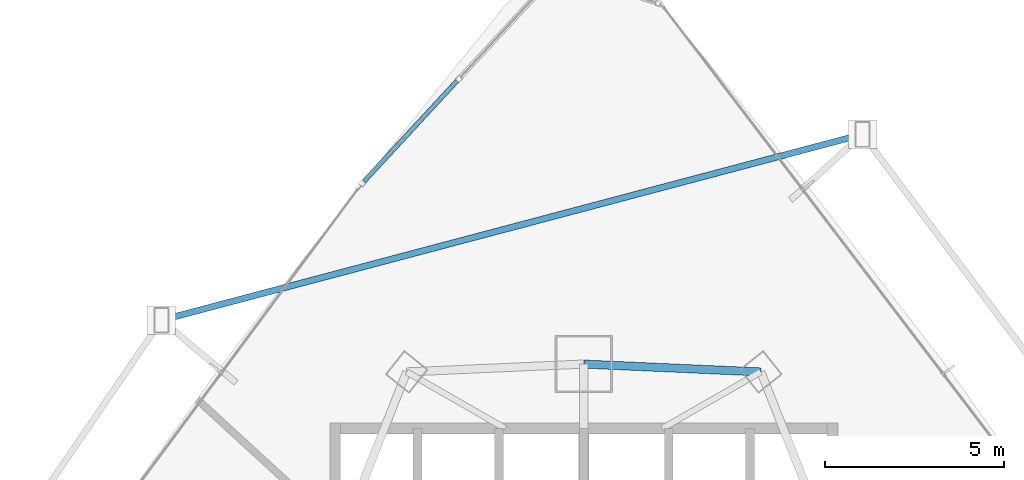
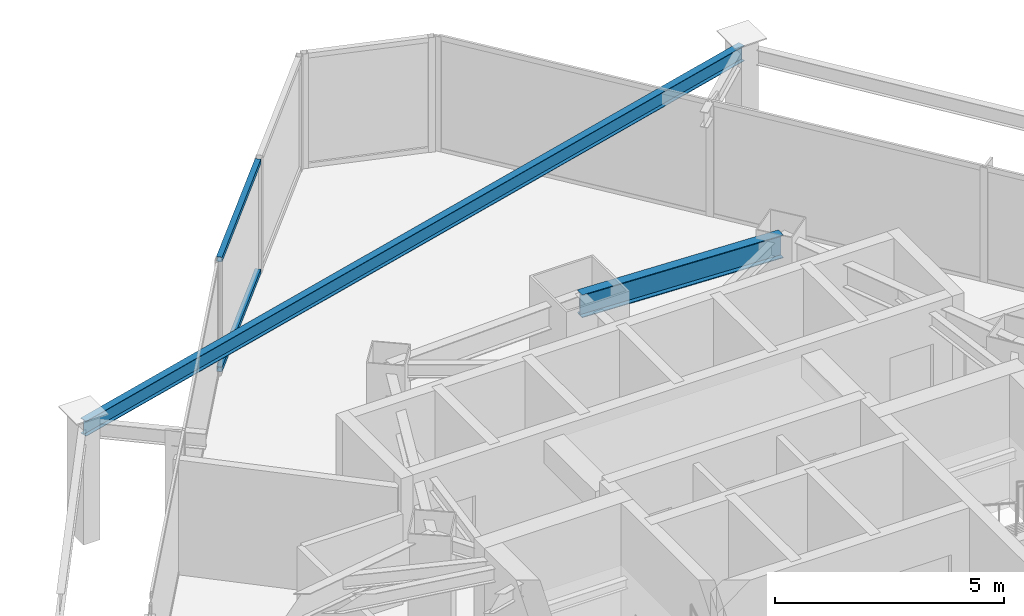
# One storey, part 24 of 35: 2 beams, 2 members, 1 element without a shape of its own.
"""IFC4 building model written with IfcOpenShell, lengths in metres."""

from ifc_helpers import new_model, si_unit, direction, frame, origin, origin_2d, place, context, subcontext, project, spatial, hollow_rectangle, i_section, extrude, material, layer, layer_set, material_profile, profile_set, type_object, element, aggregate, save


model = new_model("IFC4")

# Units and contexts
model_context = context("Model", 3, precision=1e-05, world=origin(), true_north=direction((0.0, 1.0)))
body_context = subcontext(model_context, "Body", "Model", "MODEL_VIEW")
ifc_project = project(units=[si_unit("LENGTHUNIT", "METRE"), si_unit("AREAUNIT", "SQUARE_METRE"), si_unit("VOLUMEUNIT", "CUBIC_METRE"), si_unit("PLANEANGLEUNIT", "RADIAN"), si_unit("MASSUNIT", "GRAM", prefix="KILO")], contexts=[model_context])

# Site, building, storey
site_placement = place(None, origin())
site = spatial("IfcSite", under=ifc_project, at=site_placement, CompositionType="ELEMENT")
building_placement = place(site_placement, origin())
building = spatial("IfcBuilding", under=site, at=building_placement, Name="Orvanel Arch Residences", CompositionType="ELEMENT")
storey_placement = place(building_placement, frame((0.0, 0.0, 40.10009765625)))
storey = spatial("IfcBuildingStorey", under=building, at=storey_placement, Name="L10", CompositionType="ELEMENT", Elevation=40.10009765625)

# Beams
ifc_material_1 = material(Name="Structural steel AS/NZS 3679.1 Grade 300 (300 MPa)", Category="steel")
ifc_material_profile_1 = material_profile(ifc_material_1, i_section(OverallWidth=0.177978515625, OverallDepth=0.406005859375, WebThickness=0.0078125, FlangeThickness=0.0126953125, at=origin_2d()), Name="410UB59.7")
ifc_profile_set_1 = profile_set([ifc_material_profile_1], Name="Structural steel AS/NZS 3679.1 Grade 300 (300 MPa)")
beam_type_1 = type_object("IfcBeamType", Name="OB-410UB-EXT", PredefinedType="SPANDREL", material=ifc_profile_set_1)
beam_1_placement = place(storey_placement, frame((40.794921875, 47.820068359375, 2.85693359375), z_axis=(-0.966603807913, -0.25627539587, 0.0), x_axis=(0.25627539587, -0.966603807913, 0.0)))
element("IfcBeam", 1, at=beam_1_placement, inside=storey, type_object=beam_type_1, Name="L10 Outer Perimeter Floor Ring Beam 12", PredefinedType="SPANDREL", context=body_context, shape_type="SweptSolid", body=[
    extrude(i_section(OverallWidth=0.177978515625, OverallDepth=0.406005859375, WebThickness=0.0078125, FlangeThickness=0.0126953125, at=origin_2d()), origin(), (0.0, 0.0, 1.0), 20.279052734375),
])
ifc_material_profile_2 = material_profile(ifc_material_1, i_section(OverallWidth=0.22900390625, OverallDepth=0.612060546875, WebThickness=0.011962890625, FlangeThickness=0.01953125, at=origin_2d()), Name="610UB125")
ifc_profile_set_2 = profile_set([ifc_material_profile_2], Name="Structural steel AS/NZS 3679.1 Grade 300 (300 MPa)")
beam_type_2 = type_object("IfcBeamType", Name="SP-610UB", PredefinedType="SPANDREL", material=ifc_profile_set_2)
beam_2_placement = place(storey_placement, frame((37.949951171875, 41.177978515625, 2.75390625), z_axis=(-0.999014049296, 0.044395149614, 0.0), x_axis=(-0.044395149614, -0.999014049296, 0.0)))
element("IfcBeam", 2, at=beam_2_placement, inside=storey, type_object=beam_type_2, Name="L10 Perimeter Spandrel Beam 16", PredefinedType="SPANDREL", context=body_context, shape_type="SweptSolid", body=[
    extrude(i_section(OverallWidth=0.22900390625, OverallDepth=0.612060546875, WebThickness=0.011962890625, FlangeThickness=0.01953125, at=origin_2d()), origin(), (0.0, 0.0, 1.0), 4.954833984375),
])

# Curtain wall, members
ifc_material_2 = material(Name="Bronze-anodised aluminium AA6063-T6", Category="aluminium")
ifc_layer = layer(ifc_material_2, 0.18994140625)
ifc_layer_set = layer_set([ifc_layer], Name="Bronze-anodised aluminium AA6063-T6")
curtain_wall_type = type_object("IfcCurtainWallType", Name="CW5-CRN-SYS", PredefinedType="NOTDEFINED", material=ifc_layer_set)
curtain_wall_placement = place(storey_placement, origin())
curtain_wall = element("IfcCurtainWall", 3, at=curtain_wall_placement, inside=storey, type_object=curtain_wall_type, Name="L10 CW5-CRN-SYS Unitised Curtain Wall", PredefinedType="NOTDEFINED")
ifc_material_profile_3 = material_profile(ifc_material_2, hollow_rectangle(XDim=0.1298828125, YDim=0.1298828125, WallThickness=0.00439453125, at=origin_2d()), Name="ALU130x130x4.5")
ifc_profile_set_3 = profile_set([ifc_material_profile_3], Name="Bronze-anodised aluminium AA6063-T6")
member_type = type_object("IfcMemberType", Name="TRN-130x130", PredefinedType="USERDEFINED", material=ifc_profile_set_3)
member_1_placement = place(storey_placement, frame((29.45654296875, 49.31298828125, 0.06494140625), z_axis=(-0.679137285382, -0.734011272123, 0.0), x_axis=(0.734011272123, -0.679137285382, 0.0)))
member_1 = element("IfcMember", 4, at=member_1_placement, type_object=member_type, Name="CW-S5 transom 2.1", ObjectType="TRANSOM", PredefinedType="USERDEFINED", context=body_context, shape_type="SweptSolid", body=[
    extrude(hollow_rectangle(XDim=0.1298828125, YDim=0.1298828125, WallThickness=0.00439453125, at=origin_2d()), origin(), (0.0, 0.0, 1.0), 3.83056640625),
])
member_2_placement = place(storey_placement, frame((29.45654296875, 49.31298828125, 2.994873046875), z_axis=(-0.679137285382, -0.734011272123, 0.0), x_axis=(0.734011272123, -0.679137285382, 0.0)))
member_2 = element("IfcMember", 5, at=member_2_placement, type_object=member_type, Name="CW-S5 transom 2.2", ObjectType="TRANSOM", PredefinedType="USERDEFINED", context=body_context, shape_type="SweptSolid", body=[
    extrude(hollow_rectangle(XDim=0.1298828125, YDim=0.1298828125, WallThickness=0.00439453125, at=origin_2d()), origin(), (0.0, 0.0, 1.0), 3.83056640625),
])
aggregate(curtain_wall, [member_1, member_2])

save(model, "model.ifc")
